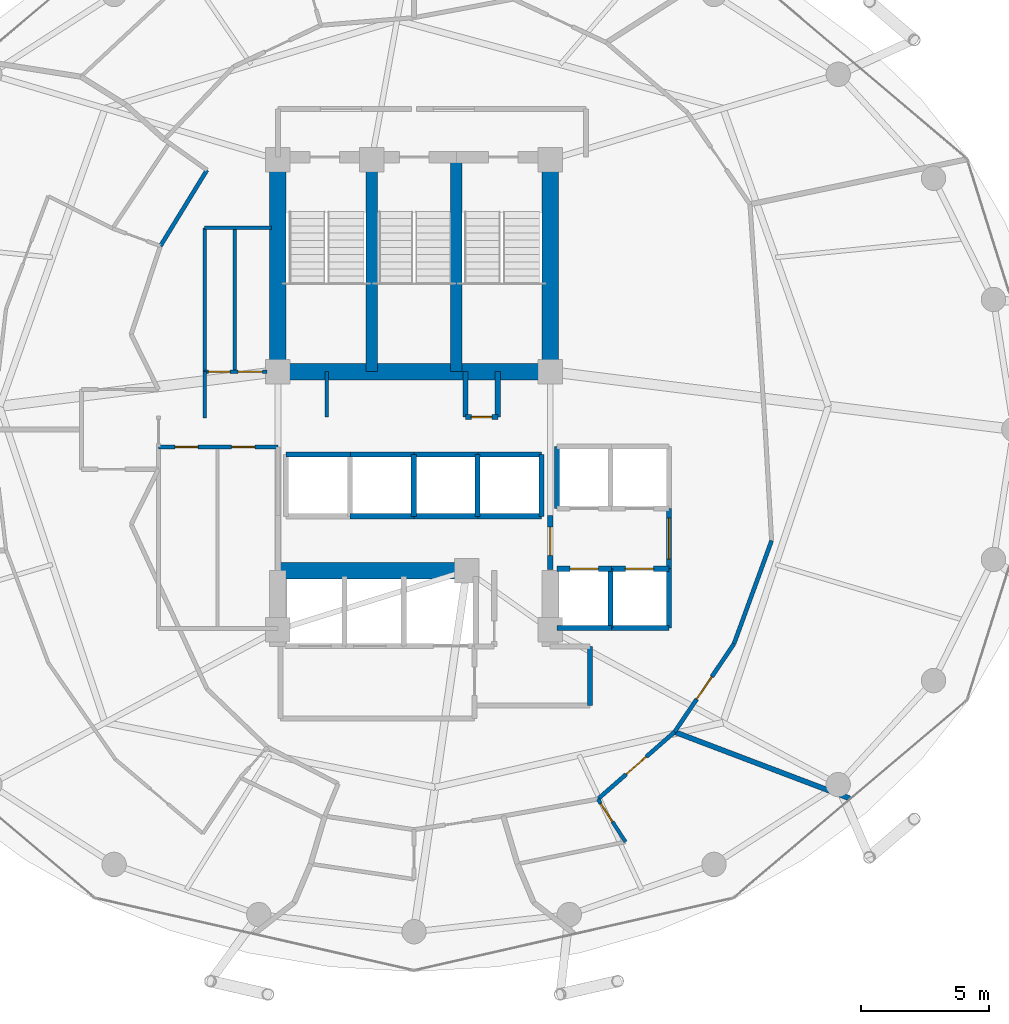
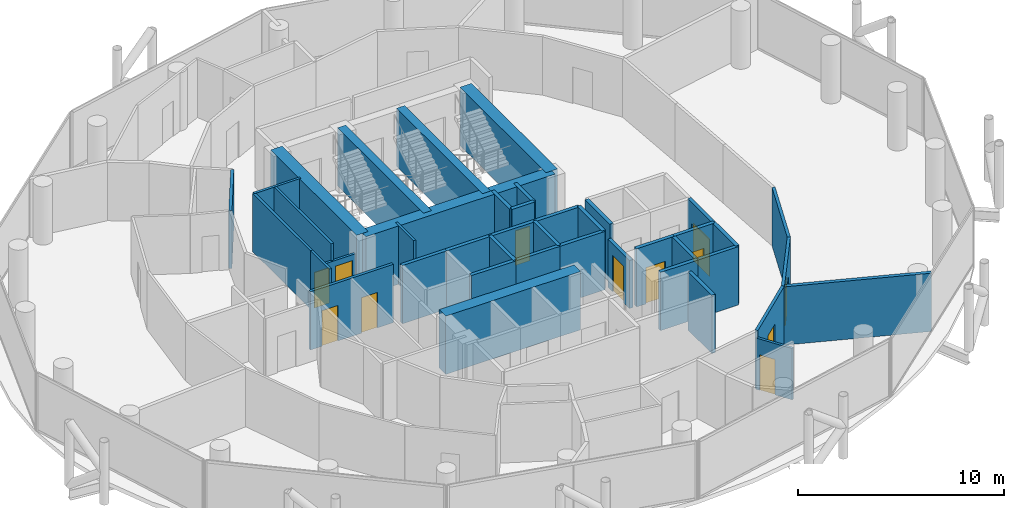
# One storey, part 23 of 26: 42 walls, 12 doors, 12 openings.
"""IFC4 building model written with IfcOpenShell, lengths in metres."""

from ifc_helpers import new_model, si_unit, direction, frame, frame_2d, origin, place, context, subcontext, project, spatial, rectangle, extrude, material, layer, layer_set, type_object, element, fill, save


model = new_model("IFC4")

# Units and contexts
model_context = context("Model", 3, precision=1e-05, world=origin(), true_north=direction((0.0, 1.0)))
body_context = subcontext(model_context, "Body", "Model", "MODEL_VIEW")
ifc_project = project(units=[si_unit("LENGTHUNIT", "METRE"), si_unit("AREAUNIT", "SQUARE_METRE"), si_unit("VOLUMEUNIT", "CUBIC_METRE"), si_unit("PLANEANGLEUNIT", "RADIAN"), si_unit("MASSUNIT", "GRAM", prefix="KILO")], contexts=[model_context])

# Site, building, storey
site_placement = place(None, origin())
site = spatial("IfcSite", under=ifc_project, at=site_placement, CompositionType="ELEMENT")
building_placement = place(site_placement, origin())
building = spatial("IfcBuilding", under=site, at=building_placement, Name="Nuhasar Tower", CompositionType="ELEMENT")
storey_placement = place(building_placement, frame((0.0, 0.0, 147.85009765625)))
storey = spatial("IfcBuildingStorey", under=building, at=storey_placement, Name="L35", CompositionType="ELEMENT", Elevation=147.85009765625)

# Walls
ifc_material_1 = material(Name="Concrete C50/60", Category="concrete")
ifc_layer_1 = layer(ifc_material_1, 0.449951171875)
ifc_layer_set_1 = layer_set([ifc_layer_1], Name="Concrete C50/60")
wall_type_1 = type_object("IfcWallType", Name="WL-CORE-450", PredefinedType="SHEAR", material=ifc_layer_set_1)
for number, where, z_axis, x_axis, name in (
    (1, (37.35009765625, 29.050048828125, 0.0), (0.0, 0.0, 1.0), (0.0, 1.0, 0.0), "L35 Stairwell Shear Wall ST01-E"),
    (2, (40.64990234375, 29.050048828125, 0.0), (0.0, 0.0, 1.0), (0.0, 1.0, 0.0), "L35 Stairwell Shear Wall ST03-E"),
):
    element("IfcWall", number, at=place(storey_placement, frame(where, z_axis=z_axis, x_axis=x_axis)), inside=storey, type_object=wall_type_1, Name=name, PredefinedType="SHEAR", context=body_context, shape_type="SweptSolid", body=[
        extrude(rectangle(XDim=8.349853515625, YDim=0.449951171875, at=frame_2d((4.1748046875, 0.0))), origin(), (0.0, 0.0, 1.0), 3.449951171875),
    ])
ifc_material_2 = material(Name="Concrete C65/80", Category="concrete")
ifc_layer_2 = layer(ifc_material_2, 0.64990234375)
ifc_layer_set_2 = layer_set([ifc_layer_2], Name="Concrete C65/80")
wall_type_2 = type_object("IfcWallType", Name="WL-CORE-650", PredefinedType="SHEAR", material=ifc_layer_set_2)
for number, where, z_axis, x_axis, name in (
    (3, (33.699951171875, 29.050048828125, 0.0), (0.0, 0.0, 1.0), (0.0, 1.0, 0.0), "L35 Core Shear Wall CW-NW CW-650"),
    (4, (44.300048828125, 29.050048828125, 0.0), (0.0, 0.0, 1.0), (0.0, 1.0, 0.0), "L35 Core Shear Wall CW-NE CW-650"),
):
    element("IfcWall", number, at=place(storey_placement, frame(where, z_axis=z_axis, x_axis=x_axis)), inside=storey, type_object=wall_type_2, Name=name, PredefinedType="SHEAR", context=body_context, shape_type="SweptSolid", body=[
        extrude(rectangle(XDim=8.349853515625, YDim=0.64990234375, at=frame_2d((4.1748046875, 0.0))), origin(), (0.0, 0.0, 1.0), 3.449951171875),
    ])
wall_1_placement = place(storey_placement, frame((33.699951171875, 29.050048828125, 0.0), z_axis=(0.0, 0.0, 1.0), x_axis=(1.0, 0.0, 0.0)))
element("IfcWall", 5, at=wall_1_placement, inside=storey, type_object=wall_type_2, Name="L35 Core Shear Wall CW-N1 CW-650", PredefinedType="SHEAR", context=body_context, shape_type="SweptSolid", body=[
    extrude(rectangle(XDim=10.60009765625, YDim=0.64990234375, at=frame_2d((5.300048828125, 0.0))), origin(), (0.0, 0.0, 1.0), 3.449951171875),
])
wall_2_placement = place(storey_placement, frame((33.699951171875, 21.300048828125, 0.0), z_axis=(0.0, 0.0, 1.0), x_axis=(1.0, 0.0, 0.0)))
element("IfcWall", 6, at=wall_2_placement, inside=storey, type_object=wall_type_2, Name="L35 Core Shear Wall CW-S1 CW-650", PredefinedType="SHEAR", context=body_context, shape_type="SweptSolid", body=[
    extrude(rectangle(XDim=7.550048828125, YDim=0.64990234375, at=frame_2d((3.77490234375, 0.0))), origin(), (0.0, 0.0, 1.0), 3.449951171875),
])

# Wall, openings, doors
ifc_material_3 = material(Name="Gypsum Board", Category="gypsum")
ifc_layer_3 = layer(ifc_material_3, 0.159912109375)
ifc_layer_set_3 = layer_set([ifc_layer_3], Name="Gypsum Board")
wall_type_3 = type_object("IfcWallType", Name="WL-CORR-160", PredefinedType="PARTITIONING", material=ifc_layer_set_3)
wall_3_placement = place(storey_placement, frame((33.699951171875, 26.1201171875, 0.0), z_axis=(0.0, 0.0, 1.0), x_axis=(-1.0, 0.0, 0.0)))
wall_3 = element("IfcWall", 7, at=wall_3_placement, inside=storey, type_object=wall_type_3, Name="L35 Interior Partition RECL-B1-N", PredefinedType="PARTITIONING", context=body_context, shape_type="SweptSolid", body=[
    extrude(rectangle(XDim=4.64990234375, YDim=0.159912109375, at=frame_2d((2.324951171875, 0.0))), origin(), (0.0, 0.0, 1.0), 3.449951171875),
])
opening_1_placement = place(wall_3_placement, frame((3.10009765625, 0.0, 0.0)))
opening_1 = element("IfcOpeningElement", 8, at=opening_1_placement, cuts=wall_3, Name="Opening DR-01", PredefinedType="OPENING", context=body_context, shape_type="SweptSolid", body=[
    extrude(rectangle(XDim=0.89990234375, YDim=2.10009765625, at=frame_2d((0.449951171875, 1.050048828125))), frame((0.0, 0.08984375, 0.0), z_axis=(0.0, -1.0, 0.0), x_axis=(1.0, 0.0, 0.0)), (0.0, 0.0, 1.0), 0.179931640625),
])
opening_2_placement = place(wall_3_placement, frame((0.89990234375, 0.0, 0.0)))
opening_2 = element("IfcOpeningElement", 9, at=opening_2_placement, cuts=wall_3, Name="Opening DR-01", PredefinedType="OPENING", context=body_context, shape_type="SweptSolid", body=[
    extrude(rectangle(XDim=0.89990234375, YDim=2.10009765625, at=frame_2d((0.449951171875, 1.050048828125))), frame((0.0, 0.08984375, 0.0), z_axis=(0.0, -1.0, 0.0), x_axis=(1.0, 0.0, 0.0)), (0.0, 0.0, 1.0), 0.179931640625),
])
ifc_material_4 = material(Name="Timber Oak", Category="wood")
door_type_1 = type_object("IfcDoorType", Name="DR-ROOM-900", OperationType="NOTDEFINED", PredefinedType="DOOR", material=ifc_material_4)
door_1_placement = place(opening_1_placement, origin())
door_1 = element("IfcDoor", 10, at=door_1_placement, inside=storey, type_object=door_type_1, Name="L35 Housekeeping Door", OperationType="SINGLE_SWING_RIGHT", OverallHeight=2.10009765625, OverallWidth=0.89990234375, PredefinedType="DOOR", context=body_context, shape_type="SweptSolid", body=[
    extrude(rectangle(XDim=0.89990234375, YDim=2.10009765625, at=frame_2d((0.449951171875, 1.050048828125))), frame((0.0, 0.02490234375, 0.0), z_axis=(0.0, -1.0, 0.0), x_axis=(1.0, 0.0, 0.0)), (0.0, 0.0, 1.0), 0.050048828125),
])
fill(opening_1, door_1)
door_2_placement = place(opening_2_placement, origin())
door_2 = element("IfcDoor", 11, at=door_2_placement, inside=storey, type_object=door_type_1, Name="L35 Valet Pantry Door", OperationType="SINGLE_SWING_LEFT", OverallHeight=2.10009765625, OverallWidth=0.89990234375, PredefinedType="DOOR", context=body_context, shape_type="SweptSolid", body=[
    extrude(rectangle(XDim=0.89990234375, YDim=2.10009765625, at=frame_2d((0.449951171875, 1.050048828125))), frame((0.0, 0.02490234375, 0.0), z_axis=(0.0, -1.0, 0.0), x_axis=(1.0, 0.0, 0.0)), (0.0, 0.0, 1.0), 0.050048828125),
])
fill(opening_2, door_2)

# Wall, opening, door
wall_4_placement = place(storey_placement, frame((49.14208984375, 15.02490234375, 0.0), z_axis=(0.0, 0.0, 1.0), x_axis=(-0.75268720087, -0.658378293724, 0.0)))
wall_4 = element("IfcWall", 12, at=wall_4_placement, inside=storey, type_object=wall_type_3, Name="L35 Interior Partition CORR-40", PredefinedType="PARTITIONING", context=body_context, shape_type="SweptSolid", body=[
    extrude(rectangle(XDim=3.968505859375, YDim=0.159912109375, at=frame_2d((1.984375, 0.0))), origin(), (0.0, 0.0, 1.0), 3.449951171875),
])
opening_3_placement = place(wall_4_placement, frame((1.458984375, 0.0, 0.0)))
opening_3 = element("IfcOpeningElement", 13, at=opening_3_placement, cuts=wall_4, Name="Opening DU-01", PredefinedType="OPENING", context=body_context, shape_type="SweptSolid", body=[
    extrude(rectangle(XDim=1.050048828125, YDim=2.14990234375, at=frame_2d((0.52490234375, 1.074951171875))), frame((0.0, 0.08984375, 0.0), z_axis=(0.0, -1.0, 0.0), x_axis=(1.0, 0.0, 0.0)), (0.0, 0.0, 1.0), 0.179931640625),
])
door_type_2 = type_object("IfcDoorType", Name="DR-SUITE-FD60-1050", OperationType="NOTDEFINED", PredefinedType="DOOR", material=ifc_material_4)
door_3_placement = place(opening_3_placement, origin())
door_3 = element("IfcDoor", 14, at=door_3_placement, inside=storey, type_object=door_type_2, Name="L35 Club Junior Suite 02 Entrance Door", OperationType="SINGLE_SWING_RIGHT", OverallHeight=2.14990234375, OverallWidth=1.050048828125, PredefinedType="DOOR", context=body_context, shape_type="SweptSolid", body=[
    extrude(rectangle(XDim=1.050048828125, YDim=2.14990234375, at=frame_2d((0.52490234375, 1.074951171875))), frame((0.0, 0.02490234375, 0.0), z_axis=(0.0, -1.0, 0.0), x_axis=(1.0, 0.0, 0.0)), (0.0, 0.0, 1.0), 0.050048828125),
])
fill(opening_3, door_3)

wall_5_placement = place(storey_placement, frame((51.452880859375, 18.452880859375, 0.0), z_axis=(0.0, 0.0, 1.0), x_axis=(-0.558958517312, -0.829195619818, 0.0)))
wall_5 = element("IfcWall", 15, at=wall_5_placement, inside=storey, type_object=wall_type_3, Name="L35 Interior Partition CORR-42", PredefinedType="PARTITIONING", context=body_context, shape_type="SweptSolid", body=[
    extrude(rectangle(XDim=4.134033203125, YDim=0.159912109375, at=frame_2d((2.06689453125, 0.0))), origin(), (0.0, 0.0, 1.0), 3.449951171875),
])
opening_4_placement = place(wall_5_placement, frame((1.5419921875, 0.0, 0.0)))
opening_4 = element("IfcOpeningElement", 16, at=opening_4_placement, cuts=wall_5, Name="Opening DU-01", PredefinedType="OPENING", context=body_context, shape_type="SweptSolid", body=[
    extrude(rectangle(XDim=1.050048828125, YDim=2.14990234375, at=frame_2d((0.52490234375, 1.074951171875))), frame((0.0, 0.08984375, 0.0), z_axis=(0.0, -1.0, 0.0), x_axis=(1.0, 0.0, 0.0)), (0.0, 0.0, 1.0), 0.179931640625),
])
door_4_placement = place(opening_4_placement, origin())
door_4 = element("IfcDoor", 17, at=door_4_placement, inside=storey, type_object=door_type_2, Name="L35 Executive Horizon Club Lounge Entrance Door", OperationType="SINGLE_SWING_LEFT", OverallHeight=2.14990234375, OverallWidth=1.050048828125, PredefinedType="DOOR", context=body_context, shape_type="SweptSolid", body=[
    extrude(rectangle(XDim=1.050048828125, YDim=2.14990234375, at=frame_2d((0.52490234375, 1.074951171875))), frame((0.0, 0.02490234375, 0.0), z_axis=(0.0, -1.0, 0.0), x_axis=(1.0, 0.0, 0.0)), (0.0, 0.0, 1.0), 0.050048828125),
])
fill(opening_4, door_4)

# Walls
wall_6_placement = place(storey_placement, frame((51.452880859375, 18.452880859375, 0.0), z_axis=(0.0, 0.0, 1.0), x_axis=(0.342563364573, 0.93949472657, 0.0)))
element("IfcWall", 18, at=wall_6_placement, inside=storey, type_object=wall_type_3, Name="L35 Interior Partition CORR-44", PredefinedType="PARTITIONING", context=body_context, shape_type="SweptSolid", body=[
    extrude(rectangle(XDim=4.27685546875, YDim=0.159912109375, at=frame_2d((2.138427734375, 0.0))), origin(), (0.0, 0.0, 1.0), 3.449951171875),
])
wall_7_placement = place(storey_placement, frame((30.93896484375, 36.89697265625, 0.0), z_axis=(0.0, 0.0, 1.0), x_axis=(-0.522486120877, -0.852647789823, 0.0)))
element("IfcWall", 19, at=wall_7_placement, inside=storey, type_object=wall_type_3, Name="L35 Interior Partition HWEST-CORE-N-18", PredefinedType="PARTITIONING", context=body_context, shape_type="SweptSolid", body=[
    extrude(rectangle(XDim=3.468017578125, YDim=0.159912109375, at=frame_2d((1.73388671875, 0.0))), origin(), (0.0, 0.0, 1.0), 3.449951171875),
])

# Wall, opening, door
ifc_material_5 = material(Name="Concrete C45/55", Category="concrete")
ifc_layer_4 = layer(ifc_material_5, 0.199951171875)
ifc_layer_set_4 = layer_set([ifc_layer_4], Name="Concrete C45/55")
wall_type_4 = type_object("IfcWallType", Name="WL-LOBBY-200", PredefinedType="SOLIDWALL", material=ifc_layer_set_4)
wall_8_placement = place(storey_placement, frame((48.929931640625, 21.3798828125, 0.0), z_axis=(0.0, 0.0, 1.0), x_axis=(0.0, 1.0, 0.0)))
wall_8 = element("IfcWall", 20, at=wall_8_placement, inside=storey, type_object=wall_type_4, Name="L35 Interior Partition LLBM-E", PredefinedType="SOLIDWALL", context=body_context, shape_type="SweptSolid", body=[
    extrude(rectangle(XDim=2.340087890625, YDim=0.199951171875, at=frame_2d((1.169921875, 0.0))), origin(), (0.0, 0.0, 1.0), 3.449951171875),
])
opening_5_placement = place(wall_8_placement, frame((0.3701171875, 0.0, 0.0)))
opening_5 = element("IfcOpeningElement", 21, at=opening_5_placement, cuts=wall_8, Name="Opening DC-01", PredefinedType="OPENING", context=body_context, shape_type="SweptSolid", body=[
    extrude(rectangle(XDim=1.60009765625, YDim=2.199951171875, at=frame_2d((0.800048828125, 1.10009765625))), frame((0.0, 0.10986328125, 0.0), z_axis=(0.0, -1.0, 0.0), x_axis=(1.0, 0.0, 0.0)), (0.0, 0.0, 1.0), 0.219970703125),
])
ifc_material_6 = material(Name="Steel S355", Category="steel")
door_type_3 = type_object("IfcDoorType", Name="DR-CORR-FD60-1600", OperationType="DOUBLE_DOOR_SINGLE_SWING", PredefinedType="DOOR", material=ifc_material_6)
door_5_placement = place(opening_5_placement, origin())
door_5 = element("IfcDoor", 22, at=door_5_placement, inside=storey, type_object=door_type_3, Name="L35 Mid-Rise Lift Lobby East Entry", OperationType="DOUBLE_DOOR_SINGLE_SWING", OverallHeight=2.199951171875, OverallWidth=1.60009765625, PredefinedType="DOOR", context=body_context, shape_type="SweptSolid", body=[
    extrude(rectangle(XDim=1.60009765625, YDim=2.199951171875, at=frame_2d((0.800048828125, 1.10009765625))), frame((0.0, 0.02490234375, 0.0), z_axis=(0.0, -1.0, 0.0), x_axis=(1.0, 0.0, 0.0)), (0.0, 0.0, 1.0), 0.050048828125),
])
fill(opening_5, door_5)

wall_9_placement = place(storey_placement, frame((44.300048828125, 21.35009765625, 0.0), z_axis=(0.0, 0.0, 1.0), x_axis=(0.0, 1.0, 0.0)))
wall_9 = element("IfcWall", 23, at=wall_9_placement, inside=storey, type_object=wall_type_4, Name="L35 Interior Partition LLBH-E", PredefinedType="SOLIDWALL", context=body_context, shape_type="SweptSolid", body=[
    extrude(rectangle(XDim=2.099853515625, YDim=0.199951171875, at=frame_2d((1.0498046875, 0.0))), origin(), (0.0, 0.0, 1.0), 2.8349609375),
])
opening_6_placement = place(wall_9_placement, frame((0.550048828125, 0.0, 0.0)))
opening_6 = element("IfcOpeningElement", 24, at=opening_6_placement, cuts=wall_9, Name="Opening DS-02", PredefinedType="OPENING", context=body_context, shape_type="SweptSolid", body=[
    extrude(rectangle(XDim=1.10009765625, YDim=2.14990234375, at=frame_2d((0.550048828125, 1.074951171875))), frame((0.0, 0.10986328125, 0.0), z_axis=(0.0, -1.0, 0.0), x_axis=(1.0, 0.0, 0.0)), (0.0, 0.0, 1.0), 0.219970703125),
])
door_type_4 = type_object("IfcDoorType", Name="DR-FFL-FD120-1100", OperationType="NOTDEFINED", PredefinedType="DOOR", material=ifc_material_6)
door_6_placement = place(opening_6_placement, origin())
door_6 = element("IfcDoor", 25, at=door_6_placement, inside=storey, type_object=door_type_4, Name="L35 High-Rise Lobby East Door", OperationType="SINGLE_SWING_RIGHT", OverallHeight=2.14990234375, OverallWidth=1.10009765625, PredefinedType="DOOR", context=body_context, shape_type="SweptSolid", body=[
    extrude(rectangle(XDim=1.10009765625, YDim=2.14990234375, at=frame_2d((0.550048828125, 1.074951171875))), frame((0.0, 0.02490234375, 0.0), z_axis=(0.0, -1.0, 0.0), x_axis=(1.0, 0.0, 0.0)), (0.0, 0.0, 1.0), 0.050048828125),
])
fill(opening_6, door_6)

# Walls
wall_10_placement = place(storey_placement, frame((45.85009765625, 16.050048828125, 0.0), z_axis=(0.0, 0.0, 1.0), x_axis=(0.0, 1.0, 0.0)))
element("IfcWall", 26, at=wall_10_placement, inside=storey, type_object=wall_type_4, Name="L35 Interior Partition SVLV-E", PredefinedType="SOLIDWALL", context=body_context, shape_type="SweptSolid", body=[
    extrude(rectangle(XDim=2.300048828125, YDim=0.199951171875, at=frame_2d((1.14990234375, 0.0))), origin(), (0.0, 0.0, 1.0), 3.449951171875),
])
ifc_layer_5 = layer(ifc_material_5, 0.199951171875)
ifc_layer_set_5 = layer_set([ifc_layer_5], Name="Concrete C45/55")
wall_type_5 = type_object("IfcWallType", Name="WL-SHAFT-200", PredefinedType="SOLIDWALL", material=ifc_layer_set_5)
for number, where, z_axis, x_axis, name in (
    (27, (41.0, 27.280029296875, 0.0), (0.0, 0.0, 1.0), (0.0, 1.0, 0.0), "L35 Interior Partition RSRN-W"),
    (28, (42.260009765625, 27.280029296875, 0.0), (0.0, 0.0, 1.0), (0.0, 1.0, 0.0), "L35 Interior Partition RSRN-E"),
):
    element("IfcWall", number, at=place(storey_placement, frame(where, z_axis=z_axis, x_axis=x_axis)), inside=storey, type_object=wall_type_5, Name=name, PredefinedType="SOLIDWALL", context=body_context, shape_type="SweptSolid", body=[
        extrude(rectangle(XDim=1.77001953125, YDim=0.199951171875, at=frame_2d((0.885009765625, 0.0))), origin(), (0.0, 0.0, 1.0), 3.449951171875),
    ])

# Wall, opening, door
wall_11_placement = place(storey_placement, frame((41.0, 27.280029296875, 0.0), z_axis=(0.0, 0.0, 1.0), x_axis=(1.0, 0.0, 0.0)))
wall_11 = element("IfcWall", 29, at=wall_11_placement, inside=storey, type_object=wall_type_5, Name="L35 Interior Partition RSRN-S", PredefinedType="SOLIDWALL", context=body_context, shape_type="SweptSolid", body=[
    extrude(rectangle(XDim=1.260009765625, YDim=0.199951171875, at=frame_2d((0.6298828125, 0.0))), origin(), (0.0, 0.0, 1.0), 3.449951171875),
])
opening_7_placement = place(wall_11_placement, frame((0.22998046875, 0.0, 0.0)))
opening_7 = element("IfcOpeningElement", 30, at=opening_7_placement, cuts=wall_11, Name="Opening DM-01", PredefinedType="OPENING", context=body_context, shape_type="SweptSolid", body=[
    extrude(rectangle(XDim=0.800048828125, YDim=2.050048828125, at=frame_2d((0.39990234375, 1.02490234375))), frame((0.0, 0.10986328125, 0.0), z_axis=(0.0, -1.0, 0.0), x_axis=(1.0, 0.0, 0.0)), (0.0, 0.0, 1.0), 0.219970703125),
])
door_type_5 = type_object("IfcDoorType", Name="DR-RISER-FD60-800", OperationType="NOTDEFINED", PredefinedType="DOOR", material=ifc_material_6)
door_7_placement = place(opening_7_placement, origin())
door_7 = element("IfcDoor", 31, at=door_7_placement, inside=storey, type_object=door_type_5, Name="L35 North Smoke Riser Door", OperationType="SINGLE_SWING_RIGHT", OverallHeight=2.050048828125, OverallWidth=0.800048828125, PredefinedType="DOOR", context=body_context, shape_type="SweptSolid", body=[
    extrude(rectangle(XDim=0.800048828125, YDim=2.050048828125, at=frame_2d((0.39990234375, 1.02490234375))), frame((0.0, 0.02490234375, 0.0), z_axis=(0.0, -1.0, 0.0), x_axis=(1.0, 0.0, 0.0)), (0.0, 0.0, 1.0), 0.050048828125),
])
fill(opening_7, door_7)

# Walls
wall_12_placement = place(storey_placement, frame((44.570068359375, 23.719970703125, 0.0), z_axis=(0.0, 0.0, 1.0), x_axis=(0.0, 1.0, 0.0)))
element("IfcWall", 32, at=wall_12_placement, inside=storey, type_object=wall_type_5, Name="L35 Interior Partition SHF-PL-M01-W", PredefinedType="SOLIDWALL", context=body_context, shape_type="SweptSolid", body=[
    extrude(rectangle(XDim=2.409912109375, YDim=0.199951171875, at=frame_2d((1.205078125, 0.0))), origin(), (0.0, 0.0, 1.0), 3.449951171875),
])
wall_13_placement = place(storey_placement, frame((44.570068359375, 19.070068359375, 0.0), z_axis=(0.0, 0.0, 1.0), x_axis=(1.0, 0.0, 0.0)))
element("IfcWall", 33, at=wall_13_placement, inside=storey, type_object=wall_type_5, Name="L35 Interior Partition SHF-PL-M03-S", PredefinedType="SOLIDWALL", context=body_context, shape_type="SweptSolid", body=[
    extrude(rectangle(XDim=2.10986328125, YDim=0.199951171875, at=frame_2d((1.054931640625, 0.0))), origin(), (0.0, 0.0, 1.0), 3.449951171875),
])

# Wall, opening, door
wall_14_placement = place(storey_placement, frame((44.570068359375, 21.3798828125, 0.0), z_axis=(0.0, 0.0, 1.0), x_axis=(1.0, 0.0, 0.0)))
wall_14 = element("IfcWall", 34, at=wall_14_placement, inside=storey, type_object=wall_type_5, Name="L35 Interior Partition SHF-PL-M03-N", PredefinedType="SOLIDWALL", context=body_context, shape_type="SweptSolid", body=[
    extrude(rectangle(XDim=2.10986328125, YDim=0.199951171875, at=frame_2d((1.054931640625, 0.0))), origin(), (0.0, 0.0, 1.0), 3.449951171875),
])
opening_8_placement = place(wall_14_placement, frame((0.5048828125, 0.0, 0.0)))
opening_8 = element("IfcOpeningElement", 35, at=opening_8_placement, cuts=wall_14, Name="Opening LD-M03", PredefinedType="OPENING", context=body_context, shape_type="SweptSolid", body=[
    extrude(rectangle(XDim=1.10009765625, YDim=2.14990234375, at=frame_2d((0.550048828125, 1.074951171875))), frame((0.0, 0.10986328125, 0.0), z_axis=(0.0, -1.0, 0.0), x_axis=(1.0, 0.0, 0.0)), (0.0, 0.0, 1.0), 0.219970703125),
])
ifc_material_7 = material(Name="Stainless Steel 316L", Category="steel")
door_type_6 = type_object("IfcDoorType", Name="LD-PAX-1100", OperationType="DOUBLE_DOOR_SLIDING", PredefinedType="DOOR", material=ifc_material_7)
door_8_placement = place(opening_8_placement, origin())
door_8 = element("IfcDoor", 36, at=door_8_placement, inside=storey, type_object=door_type_6, Name="L35 Lift Landing Door PL-M03", OperationType="DOUBLE_DOOR_SLIDING", OverallHeight=2.14990234375, OverallWidth=1.10009765625, PredefinedType="DOOR", context=body_context, shape_type="SweptSolid", body=[
    extrude(rectangle(XDim=1.10009765625, YDim=2.14990234375, at=frame_2d((0.550048828125, 1.074951171875))), frame((0.0, 0.02490234375, 0.0), z_axis=(0.0, -1.0, 0.0), x_axis=(1.0, 0.0, 0.0)), (0.0, 0.0, 1.0), 0.050048828125),
])
fill(opening_8, door_8)

# Walls
for number, where, z_axis, x_axis, name in (
    (37, (46.64990234375, 19.070068359375, 0.0), (0.0, 0.0, 1.0), (0.0, 1.0, 0.0), "L35 Interior Partition SHF-PL-M03-E"),
    (38, (46.6201171875, 19.070068359375, 0.0), (0.0, 0.0, 1.0), (1.0, 0.0, 0.0), "L35 Interior Partition SHF-PL-M04-S"),
):
    element("IfcWall", number, at=place(storey_placement, frame(where, z_axis=z_axis, x_axis=x_axis)), inside=storey, type_object=wall_type_5, Name=name, PredefinedType="SOLIDWALL", context=body_context, shape_type="SweptSolid", body=[
        extrude(rectangle(XDim=2.309814453125, YDim=0.199951171875, at=frame_2d((1.15478515625, 0.0))), origin(), (0.0, 0.0, 1.0), 3.449951171875),
    ])

# Wall, opening, door
wall_15_placement = place(storey_placement, frame((46.6201171875, 21.3798828125, 0.0), z_axis=(0.0, 0.0, 1.0), x_axis=(1.0, 0.0, 0.0)))
wall_15 = element("IfcWall", 39, at=wall_15_placement, inside=storey, type_object=wall_type_5, Name="L35 Interior Partition SHF-PL-M04-N", PredefinedType="SOLIDWALL", context=body_context, shape_type="SweptSolid", body=[
    extrude(rectangle(XDim=2.309814453125, YDim=0.199951171875, at=frame_2d((1.15478515625, 0.0))), origin(), (0.0, 0.0, 1.0), 3.449951171875),
])
opening_9_placement = place(wall_15_placement, frame((0.60498046875, 0.0, 0.0)))
opening_9 = element("IfcOpeningElement", 40, at=opening_9_placement, cuts=wall_15, Name="Opening LD-M04", PredefinedType="OPENING", context=body_context, shape_type="SweptSolid", body=[
    extrude(rectangle(XDim=1.10009765625, YDim=2.14990234375, at=frame_2d((0.550048828125, 1.074951171875))), frame((0.0, 0.10986328125, 0.0), z_axis=(0.0, -1.0, 0.0), x_axis=(1.0, 0.0, 0.0)), (0.0, 0.0, 1.0), 0.219970703125),
])
door_9_placement = place(opening_9_placement, origin())
door_9 = element("IfcDoor", 41, at=door_9_placement, inside=storey, type_object=door_type_6, Name="L35 Lift Landing Door PL-M04", OperationType="DOUBLE_DOOR_SLIDING", OverallHeight=2.14990234375, OverallWidth=1.10009765625, PredefinedType="DOOR", context=body_context, shape_type="SweptSolid", body=[
    extrude(rectangle(XDim=1.10009765625, YDim=2.14990234375, at=frame_2d((0.550048828125, 1.074951171875))), frame((0.0, 0.02490234375, 0.0), z_axis=(0.0, -1.0, 0.0), x_axis=(1.0, 0.0, 0.0)), (0.0, 0.0, 1.0), 0.050048828125),
])
fill(opening_9, door_9)

# Walls
wall_16_placement = place(storey_placement, frame((48.929931640625, 19.070068359375, 0.0), z_axis=(0.0, 0.0, 1.0), x_axis=(0.0, 1.0, 0.0)))
element("IfcWall", 42, at=wall_16_placement, inside=storey, type_object=wall_type_5, Name="L35 Interior Partition SHF-PL-M04-E", PredefinedType="SOLIDWALL", context=body_context, shape_type="SweptSolid", body=[
    extrude(rectangle(XDim=2.309814453125, YDim=0.199951171875, at=frame_2d((1.15478515625, 0.0))), origin(), (0.0, 0.0, 1.0), 3.449951171875),
])
for number, where, z_axis, x_axis, name in (
    (43, (34.02001953125, 25.830078125, 0.0), (0.0, 0.0, 1.0), (1.0, 0.0, 0.0), "L35 Interior Partition SHF-PL-H01-N"),
    (44, (36.5, 23.419921875, 0.0), (0.0, 0.0, 1.0), (1.0, 0.0, 0.0), "L35 Interior Partition SHF-PL-H02-S"),
    (45, (36.5, 25.830078125, 0.0), (0.0, 0.0, 1.0), (1.0, 0.0, 0.0), "L35 Interior Partition SHF-PL-H02-N"),
):
    element("IfcWall", number, at=place(storey_placement, frame(where, z_axis=z_axis, x_axis=x_axis)), inside=storey, type_object=wall_type_5, Name=name, PredefinedType="SOLIDWALL", context=body_context, shape_type="SweptSolid", body=[
        extrude(rectangle(XDim=2.5, YDim=0.199951171875, at=frame_2d((1.25, 0.0))), origin(), (0.0, 0.0, 1.0), 3.449951171875),
    ])
wall_17_placement = place(storey_placement, frame((38.989990234375, 23.419921875, 0.0), z_axis=(0.0, 0.0, 1.0), x_axis=(0.0, 1.0, 0.0)))
element("IfcWall", 46, at=wall_17_placement, inside=storey, type_object=wall_type_5, Name="L35 Interior Partition SHF-PL-H02-E", PredefinedType="SOLIDWALL", context=body_context, shape_type="SweptSolid", body=[
    extrude(rectangle(XDim=2.41015625, YDim=0.199951171875, at=frame_2d((1.205078125, 0.0))), origin(), (0.0, 0.0, 1.0), 3.449951171875),
])
for number, where, z_axis, x_axis, name in (
    (47, (38.97998046875, 23.419921875, 0.0), (0.0, 0.0, 1.0), (1.0, 0.0, 0.0), "L35 Interior Partition SHF-PL-H03-S"),
    (48, (38.97998046875, 25.830078125, 0.0), (0.0, 0.0, 1.0), (1.0, 0.0, 0.0), "L35 Interior Partition SHF-PL-H03-N"),
):
    element("IfcWall", number, at=place(storey_placement, frame(where, z_axis=z_axis, x_axis=x_axis)), inside=storey, type_object=wall_type_5, Name=name, PredefinedType="SOLIDWALL", context=body_context, shape_type="SweptSolid", body=[
        extrude(rectangle(XDim=2.5, YDim=0.199951171875, at=frame_2d((1.25, 0.0))), origin(), (0.0, 0.0, 1.0), 3.449951171875),
    ])
wall_18_placement = place(storey_placement, frame((41.469970703125, 23.419921875, 0.0), z_axis=(0.0, 0.0, 1.0), x_axis=(0.0, 1.0, 0.0)))
element("IfcWall", 49, at=wall_18_placement, inside=storey, type_object=wall_type_5, Name="L35 Interior Partition SHF-PL-H03-E", PredefinedType="SOLIDWALL", context=body_context, shape_type="SweptSolid", body=[
    extrude(rectangle(XDim=2.41015625, YDim=0.199951171875, at=frame_2d((1.205078125, 0.0))), origin(), (0.0, 0.0, 1.0), 3.449951171875),
])
for number, where, z_axis, x_axis, name in (
    (50, (41.4599609375, 23.419921875, 0.0), (0.0, 0.0, 1.0), (1.0, 0.0, 0.0), "L35 Interior Partition SHF-PL-H04-S"),
    (51, (41.4599609375, 25.830078125, 0.0), (0.0, 0.0, 1.0), (1.0, 0.0, 0.0), "L35 Interior Partition SHF-PL-H04-N"),
):
    element("IfcWall", number, at=place(storey_placement, frame(where, z_axis=z_axis, x_axis=x_axis)), inside=storey, type_object=wall_type_5, Name=name, PredefinedType="SOLIDWALL", context=body_context, shape_type="SweptSolid", body=[
        extrude(rectangle(XDim=2.5, YDim=0.199951171875, at=frame_2d((1.25, 0.0))), origin(), (0.0, 0.0, 1.0), 3.449951171875),
    ])
wall_19_placement = place(storey_placement, frame((43.9599609375, 23.419921875, 0.0), z_axis=(0.0, 0.0, 1.0), x_axis=(0.0, 1.0, 0.0)))
element("IfcWall", 52, at=wall_19_placement, inside=storey, type_object=wall_type_5, Name="L35 Interior Partition SHF-PL-H04-E", PredefinedType="SOLIDWALL", context=body_context, shape_type="SweptSolid", body=[
    extrude(rectangle(XDim=2.41015625, YDim=0.199951171875, at=frame_2d((1.205078125, 0.0))), origin(), (0.0, 0.0, 1.0), 3.449951171875),
])
ifc_material_8 = material(Name="Concrete C40/50 precast", Category="concrete")
ifc_layer_6 = layer(ifc_material_8, 0.199951171875)
ifc_layer_set_6 = layer_set([ifc_layer_6], Name="Concrete C40/50 precast")
wall_type_6 = type_object("IfcWallType", Name="WL-UNIT-200", PredefinedType="PARTITIONING", material=ifc_layer_set_6)
wall_20_placement = place(storey_placement, frame((49.14208984375, 15.02490234375, 0.0), z_axis=(0.0, 0.0, 1.0), x_axis=(0.934936992943, -0.354813781055, 0.0)))
element("IfcWall", 53, at=wall_20_placement, inside=storey, type_object=wall_type_6, Name="L35 Interior Partition HRAD-42", PredefinedType="PARTITIONING", context=body_context, shape_type="SweptSolid", body=[
    extrude(rectangle(XDim=7.2880859375, YDim=0.199951171875, at=frame_2d((3.64404296875, 0.0))), origin(), (0.0, 0.0, 1.0), 3.449951171875),
])
ifc_layer_7 = layer(ifc_material_8, 0.139892578125)
ifc_layer_set_7 = layer_set([ifc_layer_7], Name="Concrete C40/50 precast")
wall_type_7 = type_object("IfcWallType", Name="WL-WET-140", PredefinedType="PARTITIONING", material=ifc_layer_set_7)
wall_21_placement = place(storey_placement, frame((35.60009765625, 27.280029296875, 0.0), z_axis=(0.0, 0.0, 1.0), x_axis=(0.0, 1.0, 0.0)))
element("IfcWall", 54, at=wall_21_placement, inside=storey, type_object=wall_type_7, Name="L35 Interior Partition CSVC-W", PredefinedType="PARTITIONING", context=body_context, shape_type="SweptSolid", body=[
    extrude(rectangle(XDim=1.77001953125, YDim=0.139892578125, at=frame_2d((0.885009765625, 0.0))), origin(), (0.0, 0.0, 1.0), 3.449951171875),
])
wall_22_placement = place(storey_placement, frame((30.85009765625, 27.239990234375, 0.0), z_axis=(0.0, 0.0, 1.0), x_axis=(0.0, 1.0, 0.0)))
element("IfcWall", 55, at=wall_22_placement, inside=storey, type_object=wall_type_7, Name="L35 Interior Partition K2-FOY-W", PredefinedType="PARTITIONING", context=body_context, shape_type="SweptSolid", body=[
    extrude(rectangle(XDim=1.81005859375, YDim=0.139892578125, at=frame_2d((0.905029296875, 0.0))), origin(), (0.0, 0.0, 1.0), 3.449951171875),
])

# Wall, openings, doors
wall_23_placement = place(storey_placement, frame((30.85009765625, 29.050048828125, 0.0), z_axis=(0.0, 0.0, 1.0), x_axis=(1.0, 0.0, 0.0)))
wall_23 = element("IfcWall", 56, at=wall_23_placement, inside=storey, type_object=wall_type_7, Name="L35 Interior Partition K2-NW-S", PredefinedType="PARTITIONING", context=body_context, shape_type="SweptSolid", body=[
    extrude(rectangle(XDim=2.429931640625, YDim=0.139892578125, at=frame_2d((1.21484375, 0.0))), origin(), (0.0, 0.0, 1.0), 2.43994140625),
])
opening_10_placement = place(wall_23_placement, frame((0.139892578125, 0.0, 0.0)))
opening_10 = element("IfcOpeningElement", 57, at=opening_10_placement, cuts=wall_23, Name="Opening DB-01", PredefinedType="OPENING", context=body_context, shape_type="SweptSolid", body=[
    extrude(rectangle(XDim=0.85009765625, YDim=2.10009765625, at=frame_2d((0.425048828125, 1.050048828125))), frame((0.0, 0.080078125, 0.0), z_axis=(0.0, -1.0, 0.0), x_axis=(1.0, 0.0, 0.0)), (0.0, 0.0, 1.0), 0.159912109375),
])
opening_11_placement = place(wall_23_placement, frame((1.300048828125, 0.0, 0.0)))
opening_11 = element("IfcOpeningElement", 58, at=opening_11_placement, cuts=wall_23, Name="Opening DA-01", PredefinedType="OPENING", context=body_context, shape_type="SweptSolid", body=[
    extrude(rectangle(XDim=0.949951171875, YDim=2.10009765625, at=frame_2d((0.47509765625, 1.050048828125))), frame((0.0, 0.080078125, 0.0), z_axis=(0.0, -1.0, 0.0), x_axis=(1.0, 0.0, 0.0)), (0.0, 0.0, 1.0), 0.159912109375),
])
door_type_7 = type_object("IfcDoorType", Name="DR-ACCWC-950", OperationType="NOTDEFINED", PredefinedType="DOOR", material=ifc_material_4)
door_10_placement = place(opening_11_placement, origin())
door_10 = element("IfcDoor", 59, at=door_10_placement, inside=storey, type_object=door_type_7, Name="L35 NW Accessible WC Door", OperationType="SINGLE_SWING_RIGHT", OverallHeight=2.10009765625, OverallWidth=0.949951171875, PredefinedType="DOOR", context=body_context, shape_type="SweptSolid", body=[
    extrude(rectangle(XDim=0.949951171875, YDim=2.10009765625, at=frame_2d((0.47509765625, 1.050048828125))), frame((0.0, 0.02490234375, 0.0), z_axis=(0.0, -1.0, 0.0), x_axis=(1.0, 0.0, 0.0)), (0.0, 0.0, 1.0), 0.050048828125),
])
fill(opening_11, door_10)
door_type_8 = type_object("IfcDoorType", Name="DR-BATH-850", OperationType="NOTDEFINED", PredefinedType="DOOR", material=ifc_material_4)
door_11_placement = place(opening_10_placement, origin())
door_11 = element("IfcDoor", 60, at=door_11_placement, inside=storey, type_object=door_type_8, Name="L35 NW Female WC Door", OperationType="SINGLE_SWING_LEFT", OverallHeight=2.10009765625, OverallWidth=0.85009765625, PredefinedType="DOOR", context=body_context, shape_type="SweptSolid", body=[
    extrude(rectangle(XDim=0.85009765625, YDim=2.10009765625, at=frame_2d((0.425048828125, 1.050048828125))), frame((0.0, 0.02490234375, 0.0), z_axis=(0.0, -1.0, 0.0), x_axis=(1.0, 0.0, 0.0)), (0.0, 0.0, 1.0), 0.050048828125),
])
fill(opening_10, door_11)

# Walls
wall_24_placement = place(storey_placement, frame((32.02001953125, 29.050048828125, 0.0), z_axis=(0.0, 0.0, 1.0), x_axis=(0.0, 1.0, 0.0)))
element("IfcWall", 61, at=wall_24_placement, inside=storey, type_object=wall_type_7, Name="L35 Interior Partition K2-NW-V", PredefinedType="PARTITIONING", context=body_context, shape_type="SweptSolid", body=[
    extrude(rectangle(XDim=5.599853515625, YDim=0.139892578125, at=frame_2d((2.7998046875, 0.0))), origin(), (0.0, 0.0, 1.0), 3.449951171875),
])
wall_25_placement = place(storey_placement, frame((30.85009765625, 34.64990234375, 0.0), z_axis=(0.0, 0.0, 1.0), x_axis=(1.0, 0.0, 0.0)))
element("IfcWall", 62, at=wall_25_placement, inside=storey, type_object=wall_type_7, Name="L35 Interior Partition K2-NW-N", PredefinedType="PARTITIONING", context=body_context, shape_type="SweptSolid", body=[
    extrude(rectangle(XDim=2.599853515625, YDim=0.139892578125, at=frame_2d((1.2998046875, 0.0))), origin(), (0.0, 0.0, 1.0), 3.449951171875),
])
wall_26_placement = place(storey_placement, frame((30.85009765625, 29.050048828125, 0.0), z_axis=(0.0, 0.0, 1.0), x_axis=(0.0, 1.0, 0.0)))
element("IfcWall", 63, at=wall_26_placement, inside=storey, type_object=wall_type_7, Name="L35 Interior Partition K2-NW-W", PredefinedType="PARTITIONING", context=body_context, shape_type="SweptSolid", body=[
    extrude(rectangle(XDim=5.599853515625, YDim=0.139892578125, at=frame_2d((2.7998046875, 0.0))), origin(), (0.0, 0.0, 1.0), 3.449951171875),
])

# Wall, opening, door
wall_27_placement = place(storey_placement, frame((46.155029296875, 12.412109375, 0.0), z_axis=(0.0, 0.0, 1.0), x_axis=(0.542510953231, -0.840048728125, 0.0)))
wall_27 = element("IfcWall", 64, at=wall_27_placement, inside=storey, type_object=wall_type_7, Name="L35 Interior Partition HBW-02", PredefinedType="PARTITIONING", context=body_context, shape_type="SweptSolid", body=[
    extrude(rectangle(XDim=1.983154296875, YDim=0.139892578125, at=frame_2d((0.99169921875, 0.0))), origin(), (0.0, 0.0, 1.0), 3.039794921875),
])
opening_12_placement = place(wall_27_placement, frame((0.199951171875, 0.0, 0.0)))
opening_12 = element("IfcOpeningElement", 65, at=opening_12_placement, cuts=wall_27, Name="Opening DB-01", PredefinedType="OPENING", context=body_context, shape_type="SweptSolid", body=[
    extrude(rectangle(XDim=0.85009765625, YDim=2.10009765625, at=frame_2d((0.425048828125, 1.050048828125))), frame((0.0, 0.080078125, 0.0), z_axis=(0.0, -1.0, 0.0), x_axis=(1.0, 0.0, 0.0)), (0.0, 0.0, 1.0), 0.159912109375),
])
door_12_placement = place(opening_12_placement, origin())
door_12 = element("IfcDoor", 66, at=door_12_placement, inside=storey, type_object=door_type_8, Name="L35 Club Junior Suite 02 En-Suite Door", OperationType="SINGLE_SWING_LEFT", OverallHeight=2.10009765625, OverallWidth=0.85009765625, PredefinedType="DOOR", context=body_context, shape_type="SweptSolid", body=[
    extrude(rectangle(XDim=0.85009765625, YDim=2.10009765625, at=frame_2d((0.425048828125, 1.050048828125))), frame((0.0, 0.02490234375, 0.0), z_axis=(0.0, -1.0, 0.0), x_axis=(1.0, 0.0, 0.0)), (0.0, 0.0, 1.0), 0.050048828125),
])
fill(opening_12, door_12)

save(model, "model.ifc")
